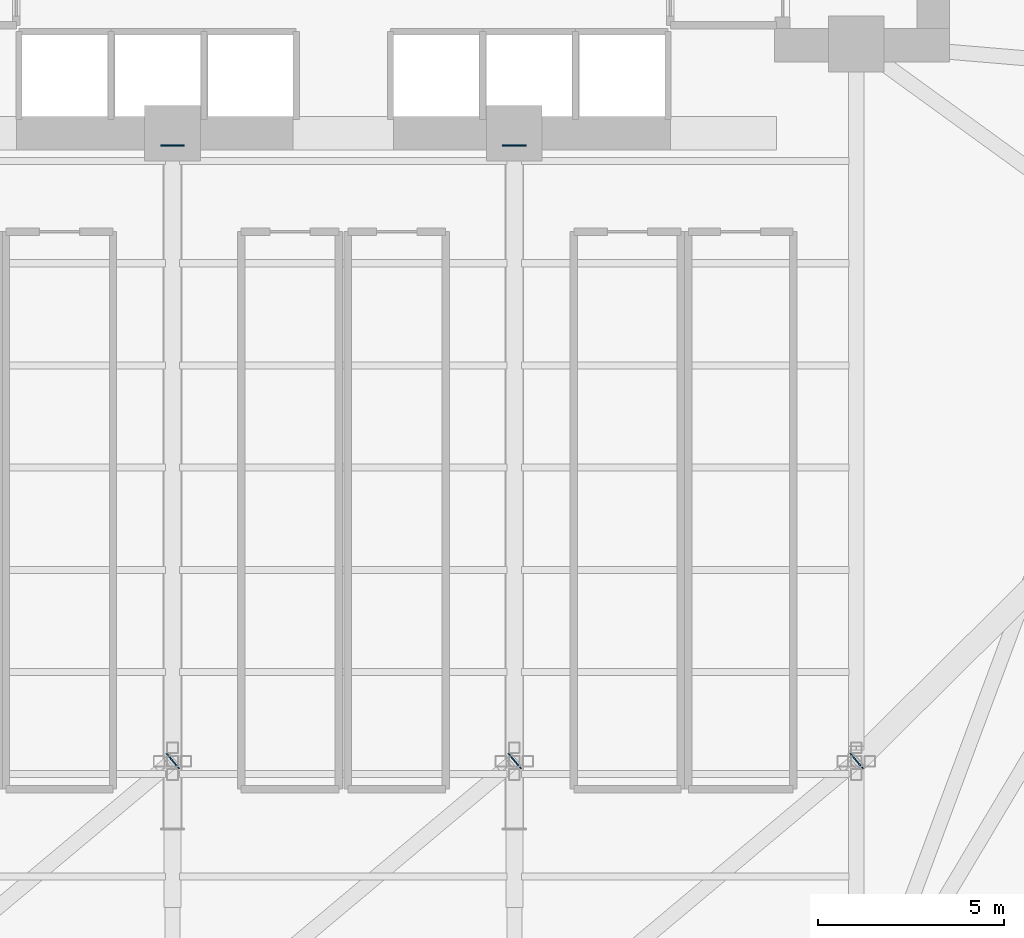
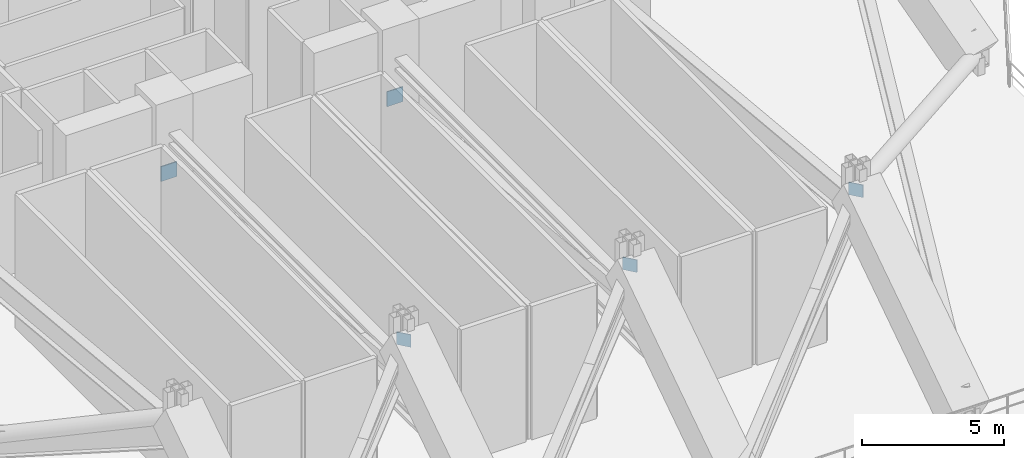
# One storey, part 10 of 21: 5 plates.
"""IFC4 building model written with IfcOpenShell, lengths in metres."""

from ifc_helpers import new_model, si_unit, direction, frame, origin, origin_2d, place, context, subcontext, project, spatial, rectangle, extrude, material, layer, layer_set, type_object, element, save


model = new_model("IFC4")

# Units and contexts
model_context = context("Model", 3, precision=1e-05, world=origin(), true_north=direction((0.0, 1.0)))
body_context = subcontext(model_context, "Body", "Model", "MODEL_VIEW")
ifc_project = project(units=[si_unit("LENGTHUNIT", "METRE"), si_unit("AREAUNIT", "SQUARE_METRE"), si_unit("VOLUMEUNIT", "CUBIC_METRE"), si_unit("PLANEANGLEUNIT", "RADIAN"), si_unit("MASSUNIT", "GRAM", prefix="KILO")], contexts=[model_context])

# Site, building, storey
site_placement = place(None, origin())
site = spatial("IfcSite", under=ifc_project, at=site_placement, CompositionType="ELEMENT")
building_placement = place(site_placement, origin())
building = spatial("IfcBuilding", under=site, at=building_placement, Name="Zuhayl Quay Hotel", CompositionType="ELEMENT")
storey_placement = place(building_placement, frame((0.0, 0.0, 89.64990234375)))
storey = spatial("IfcBuildingStorey", under=building, at=storey_placement, Name="L22", CompositionType="ELEMENT", Elevation=89.64990234375)

# Plates
ifc_material = material(Name="Steel ASTM A572 Grade 50", Category="steel")
ifc_layer_1 = layer(ifc_material, 0.030029296875, Name="Steel ASTM A572 Grade 50", Category="steel")
ifc_layer_set_1 = layer_set([ifc_layer_1], Name="Steel ASTM A572 Grade 50")
plate_type_1 = type_object("IfcPlateType", Name="TP_CAP_PLATE_30", PredefinedType="USERDEFINED", material=ifc_layer_set_1)
for number, where, z_axis, x_axis, name in (
    (1, (-4.591552734375, -14.742919921875, 5.1845703125), (0.0, 0.0, 1.0), (0.766829184428, 0.641851230356, 0.0), "Truss Node Cap Assembly KN2"),
    (2, (4.6083984375, -14.742919921875, 5.1845703125), (0.0, 0.0, 1.0), (0.766829184428, 0.641851230356, 0.0), "Truss Node Cap Assembly KN2"),
    (3, (13.80859375, -14.742919921875, 5.1845703125), (0.0, 0.0, 1.0), (0.766829184428, 0.641851230356, 0.0), "Truss Node Cap Assembly KN2"),
):
    element("IfcPlate", number, at=place(storey_placement, frame(where, z_axis=z_axis, x_axis=x_axis)), inside=storey, type_object=plate_type_1, Name=name, ObjectType="GUSSET PLATE", PredefinedType="USERDEFINED", context=body_context, shape_type="SweptSolid", body=[
        extrude(rectangle(XDim=0.030029296875, YDim=0.5400390625, at=origin_2d()), origin(), (0.0, 0.0, 1.0), 0.5400390625),
    ])
ifc_layer_2 = layer(ifc_material, 0.0400390625, Name="Steel ASTM A572 Grade 50", Category="steel")
ifc_layer_set_2 = layer_set([ifc_layer_2], Name="Steel ASTM A572 Grade 50")
plate_type_2 = type_object("IfcPlateType", Name="TP_CAP_PLATE_40", PredefinedType="USERDEFINED", material=ifc_layer_set_2)
for number, where, z_axis, x_axis, name in (
    (4, (-4.60009765625, 1.81591796875, 2.32861328125), (0.0, 0.0, 1.0), (0.0, 1.0, 0.0), "Truss Node Cap Assembly KN1"),
    (5, (4.60009765625, 1.81591796875, 2.32861328125), (0.0, 0.0, 1.0), (0.0, 1.0, 0.0), "Truss Node Cap Assembly KN1"),
):
    element("IfcPlate", number, at=place(storey_placement, frame(where, z_axis=z_axis, x_axis=x_axis)), inside=storey, type_object=plate_type_2, Name=name, ObjectType="GUSSET PLATE", PredefinedType="USERDEFINED", context=body_context, shape_type="SweptSolid", body=[
        extrude(rectangle(XDim=0.0400390625, YDim=0.639892578125, at=origin_2d()), origin(), (0.0, 0.0, 1.0), 0.639892578125),
    ])

save(model, "model.ifc")
